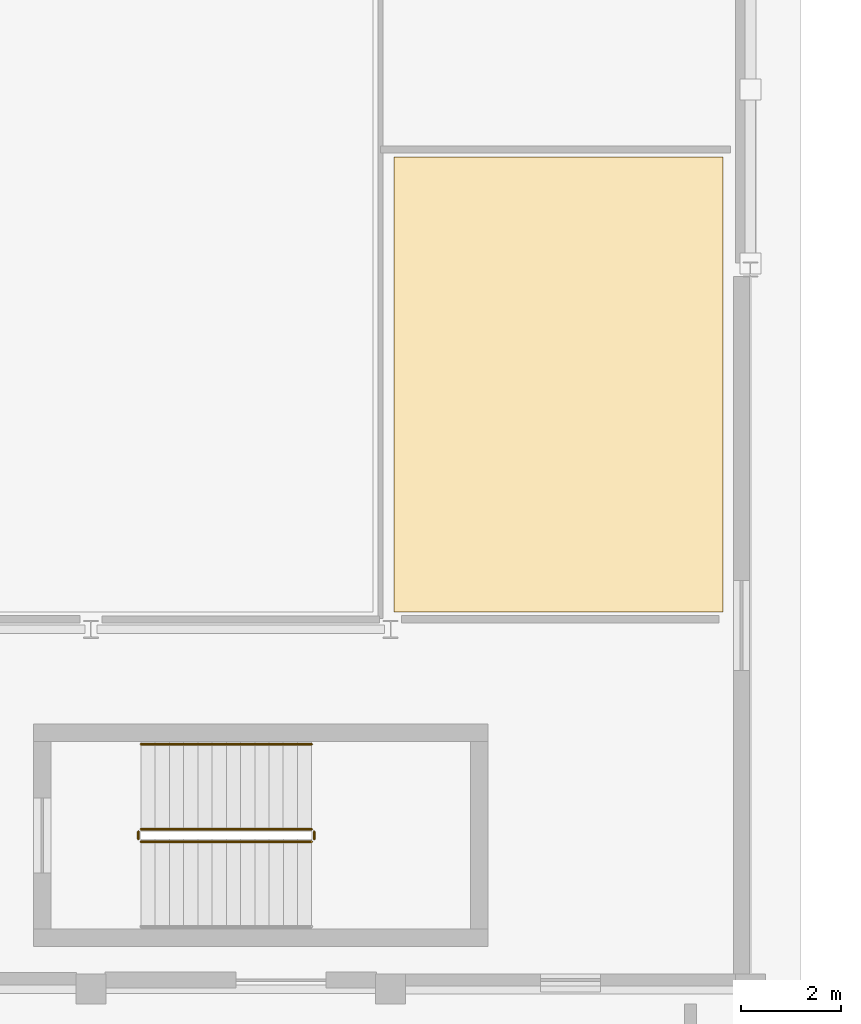
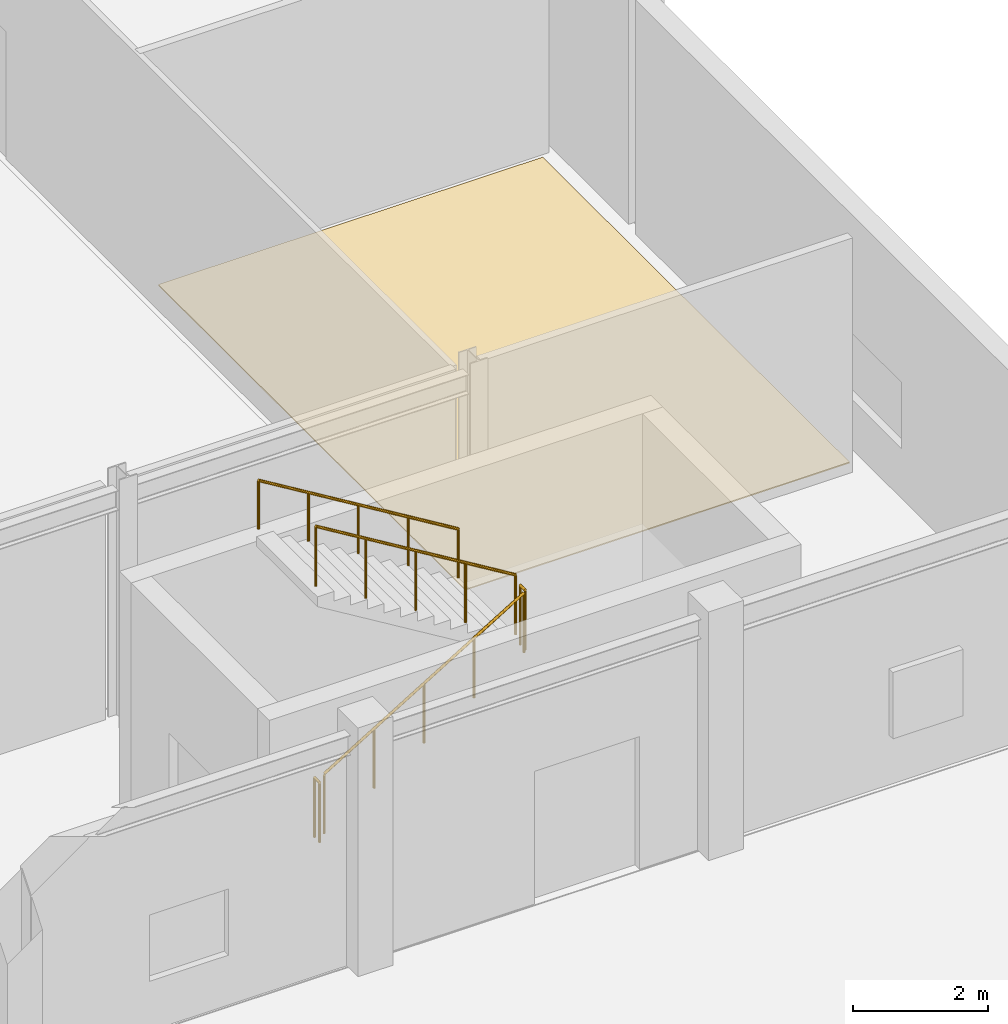
# One storey, part 57 of 58: 5 railings, 1 covering.
"""IFC4 building model written with IfcOpenShell, lengths in metres."""

from ifc_helpers import new_model, si_unit, direction, frame, origin, origin_2d, place, context, subcontext, project, spatial, polyline, circle, outline, extrude, material, layer, layer_set, type_object, element, save


model = new_model("IFC4")

# Units and contexts
model_context = context("Model", 3, precision=1e-05, world=origin(), true_north=direction((0.0, 1.0)))
body_context = subcontext(model_context, "Body", "Model", "MODEL_VIEW")
ifc_project = project(units=[si_unit("LENGTHUNIT", "METRE"), si_unit("AREAUNIT", "SQUARE_METRE"), si_unit("VOLUMEUNIT", "CUBIC_METRE"), si_unit("PLANEANGLEUNIT", "RADIAN"), si_unit("MASSUNIT", "GRAM", prefix="KILO")], contexts=[model_context])

# Site, building, storey
site_placement = place(None, origin())
site = spatial("IfcSite", under=ifc_project, at=site_placement, CompositionType="ELEMENT")
building_placement = place(site_placement, origin())
building = spatial("IfcBuilding", under=site, at=building_placement, Name="Brisavento Harbour Community Centre", CompositionType="ELEMENT")
storey_placement = place(building_placement, origin())
storey = spatial("IfcBuildingStorey", under=building, at=storey_placement, Name="L00", CompositionType="ELEMENT", Elevation=0.0)

# Covering
ifc_material_1 = material(Name="Polished marine terrazzo tile", Category="other")
ifc_layer = layer(ifc_material_1, 0.02001953125, Name="Polished marine terrazzo tile")
ifc_layer_set = layer_set([ifc_layer], Name="Polished marine terrazzo tile")
covering_type = type_object("IfcCoveringType", Name="COV-FLR-TRZ", PredefinedType="FLOORING", material=ifc_layer_set)
covering_placement = place(storey_placement, origin())
element("IfcCovering", 1, at=covering_placement, inside=storey, type_object=covering_type, Name="L00 First Aid and Referee Room terrazzo flooring", PredefinedType="FLOORING", context=body_context, shape_type="SweptSolid", body=[
    extrude(outline(polyline([(165.669921875, 86.75), (172.25, 86.75), (172.25, 95.85009765625), (165.669921875, 95.85009765625), (165.669921875, 86.75)])), origin(), (0.0, 0.0, 1.0), 0.02001953125),
])

# Railings
ifc_material_2 = material(Name="Stainless steel 1.4401", Category="steel")
railing_type_1 = type_object("IfcRailingType", Name="RL-ST-GUARD", PredefinedType="GUARDRAIL", material=ifc_material_2)
railing_1_placement = place(storey_placement, frame((160.60009765625, 82.14990234375, 0.173095703125)))
element("IfcRailing", 2, at=railing_1_placement, inside=storey, type_object=railing_type_1, Name="L00 ST-06 stair guard 1", PredefinedType="GUARDRAIL", context=body_context, shape_type="SweptSolid", body=[
    extrude(circle(Radius=0.02392578125, at=origin_2d()), frame((0.0, 0.0, 1.076171875), z_axis=(0.854729506542, 0.0, 0.519073665916), x_axis=(0.0, 1.0, 0.0)), (0.0, 0.0, 1.0), 4.001220703125),
    extrude(circle(Radius=0.02099609375, at=origin_2d()), origin(), (0.0, 0.0, 1.0), 1.052001953125),
    extrude(circle(Radius=0.02099609375, at=origin_2d()), frame((0.85498046875, 0.0, 0.519287109375)), (0.0, 0.0, 1.0), 1.052001953125),
    extrude(circle(Radius=0.02099609375, at=origin_2d()), frame((1.7099609375, 0.0, 1.03857421875)), (0.0, 0.0, 1.0), 1.052001953125),
    extrude(circle(Radius=0.02099609375, at=origin_2d()), frame((2.56494140625, 0.0, 1.5576171875)), (0.0, 0.0, 1.0), 1.052001953125),
    extrude(circle(Radius=0.02099609375, at=origin_2d()), frame((3.419921875, 0.0, 2.076904296875)), (0.0, 0.0, 1.0), 1.052001953125),
])
railing_2_placement = place(storey_placement, frame((164.070068359375, 82.199951171875, 2.25)))
element("IfcRailing", 3, at=railing_2_placement, inside=storey, type_object=railing_type_1, Name="L00 ST-06 stair guard 2", PredefinedType="GUARDRAIL", context=body_context, shape_type="SweptSolid", body=[
    extrude(circle(Radius=0.02392578125, at=origin_2d()), frame((0.0, 0.0, 1.076171875), z_axis=(0.0, 1.0, 0.0), x_axis=(-1.0, 0.0, 0.0)), (0.0, 0.0, 1.0), 0.150146484375),
    extrude(circle(Radius=0.02099609375, at=origin_2d()), origin(), (0.0, 0.0, 1.0), 1.052001953125),
    extrude(circle(Radius=0.02099609375, at=origin_2d()), frame((0.0, 0.150146484375, 0.0)), (0.0, 0.0, 1.0), 1.052001953125),
])
railing_3_placement = place(storey_placement, frame((164.02001953125, 82.39990234375, 2.423095703125)))
element("IfcRailing", 4, at=railing_3_placement, inside=storey, type_object=railing_type_1, Name="L00 ST-06 stair guard 3", PredefinedType="GUARDRAIL", context=body_context, shape_type="SweptSolid", body=[
    extrude(circle(Radius=0.02392578125, at=origin_2d()), frame((0.0, 0.0, 1.076171875), z_axis=(-0.854729506542, 0.0, 0.519073665916), x_axis=(0.0, -1.0, 0.0)), (0.0, 0.0, 1.0), 4.001220703125),
    extrude(circle(Radius=0.02099609375, at=origin_2d()), origin(), (0.0, 0.0, 1.0), 1.052001953125),
    extrude(circle(Radius=0.02099609375, at=origin_2d()), frame((-0.85498046875, 0.0, 0.519287109375)), (0.0, 0.0, 1.0), 1.052001953125),
    extrude(circle(Radius=0.02099609375, at=origin_2d()), frame((-1.7099609375, 0.0, 1.03857421875)), (0.0, 0.0, 1.0), 1.052001953125),
    extrude(circle(Radius=0.02099609375, at=origin_2d()), frame((-2.56494140625, 0.0, 1.5576171875)), (0.0, 0.0, 1.0), 1.052001953125),
    extrude(circle(Radius=0.02099609375, at=origin_2d()), frame((-3.419921875, 0.0, 2.076904296875)), (0.0, 0.0, 1.0), 1.052001953125),
])
railing_4_placement = place(storey_placement, frame((160.550048828125, 82.199951171875, 0.0)))
element("IfcRailing", 5, at=railing_4_placement, inside=storey, type_object=railing_type_1, Name="L00 ST-06 stair guard 4", PredefinedType="GUARDRAIL", context=body_context, shape_type="SweptSolid", body=[
    extrude(circle(Radius=0.02392578125, at=origin_2d()), frame((0.0, 0.0, 1.076171875), z_axis=(0.0, 1.0, 0.0), x_axis=(-1.0, 0.0, 0.0)), (0.0, 0.0, 1.0), 0.150146484375),
    extrude(circle(Radius=0.02099609375, at=origin_2d()), origin(), (0.0, 0.0, 1.0), 1.052001953125),
    extrude(circle(Radius=0.02099609375, at=origin_2d()), frame((0.0, 0.150146484375, 0.0)), (0.0, 0.0, 1.0), 1.052001953125),
])
railing_type_2 = type_object("IfcRailingType", Name="RL-ST-HAND", PredefinedType="HANDRAIL", material=ifc_material_2)
railing_5_placement = place(storey_placement, frame((164.02001953125, 84.10009765625, 2.423095703125)))
element("IfcRailing", 6, at=railing_5_placement, inside=storey, type_object=railing_type_2, Name="L00 ST-06 stair handrail 2", PredefinedType="HANDRAIL", context=body_context, shape_type="SweptSolid", body=[
    extrude(circle(Radius=0.02392578125, at=origin_2d()), frame((0.0, 0.0, 0.8759765625), z_axis=(-0.854729506542, 0.0, 0.519073665916), x_axis=(0.0, -1.0, 0.0)), (0.0, 0.0, 1.0), 4.001220703125),
    extrude(circle(Radius=0.02099609375, at=origin_2d()), origin(), (0.0, 0.0, 1.0), 0.851806640625),
    extrude(circle(Radius=0.02099609375, at=origin_2d()), frame((-0.85498046875, 0.0, 0.519287109375)), (0.0, 0.0, 1.0), 0.851806640625),
    extrude(circle(Radius=0.02099609375, at=origin_2d()), frame((-1.7099609375, 0.0, 1.03857421875)), (0.0, 0.0, 1.0), 0.851806640625),
    extrude(circle(Radius=0.02099609375, at=origin_2d()), frame((-2.56494140625, 0.0, 1.5576171875)), (0.0, 0.0, 1.0), 0.851806640625),
    extrude(circle(Radius=0.02099609375, at=origin_2d()), frame((-3.419921875, 0.0, 2.076904296875)), (0.0, 0.0, 1.0), 0.851806640625),
])

save(model, "model.ifc")
